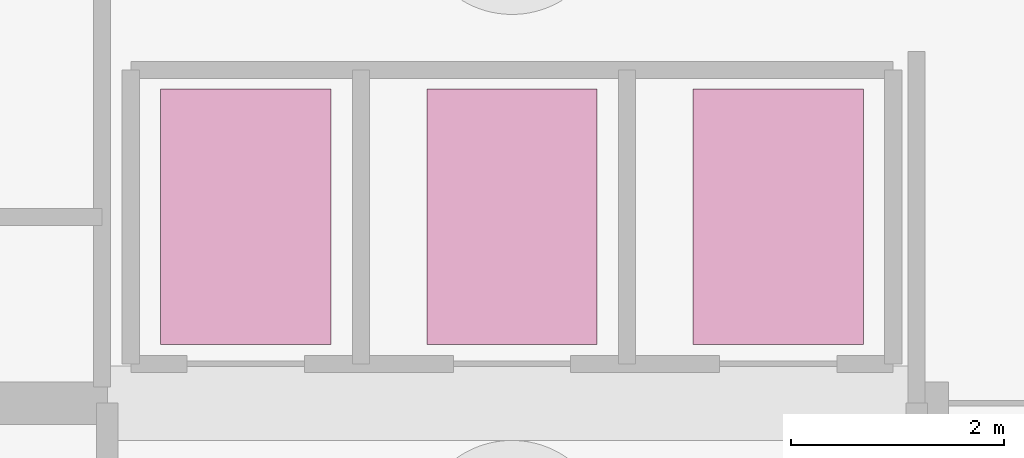
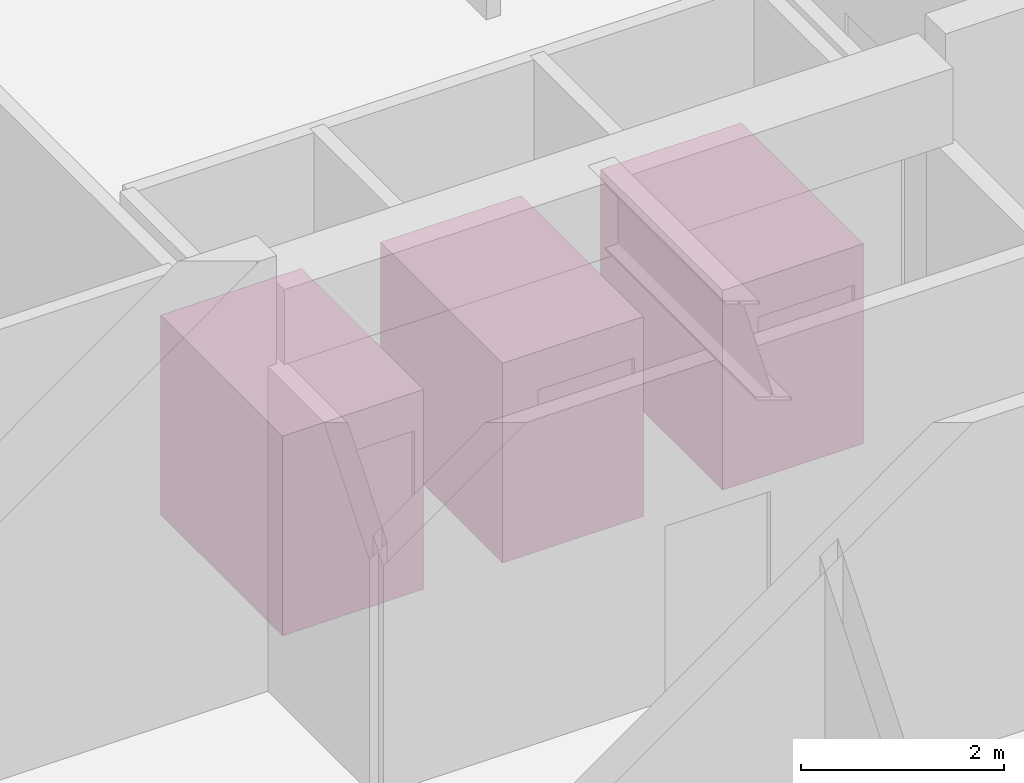
# One storey, part 18 of 18: 3 transport elements.
"""IFC4 building model written with IfcOpenShell, lengths in metres."""

import ifcopenshell
import ifcopenshell.guid

model = None  # the IFC model being written
_history = None  # IfcOwnerHistory: only IFC2X3 demands one
_inside = {}  # id of a spatial element -> (the spatial element, [elements in it])
_under = {}  # id of a project, library or spatial element -> (it, [spatial elements below it])
_declared = {}  # id of a project -> (the project, [libraries it declares])
_typed = {}  # id of a type object -> (the type object, [elements of that type])
_made_of = {}  # id of a material, layer set ... -> (it, [elements and type objects made of it])


def new_model(schema):
    """Start an empty IFC model of exactly this schema.

    Asked for "IFC4X3", IfcOpenShell would pick the latest addendum, in which some entities
    have other attributes; the version numbers below select the first issue.
    IFC2X3 requires an IfcOwnerHistory on every rooted entity: one is made here for all.
    """
    global model, _history
    if schema == "IFC4X3":
        model = ifcopenshell.file(schema_version=(4, 3, 0, 0))
    else:
        model = ifcopenshell.file(schema=schema)
    _inside.clear()
    _under.clear()
    _declared.clear()
    _typed.clear()
    _made_of.clear()
    _history = None
    if model.schema == "IFC2X3":
        org = make("IfcOrganization", Name="unknown")
        user = make(
            "IfcPersonAndOrganization",
            ThePerson=make("IfcPerson", FamilyName="unknown"),
            TheOrganization=org,
        )
        app = make(
            "IfcApplication",
            ApplicationDeveloper=org,
            Version="unknown",
            ApplicationFullName="unknown",
            ApplicationIdentifier="unknown",
        )
        _history = make(
            "IfcOwnerHistory",
            OwningUser=user,
            OwningApplication=app,
            ChangeAction="ADDED",
            CreationDate=0,
        )
    return model


def make(cls, **values):
    """One entity of the class cls with the attributes given. An attribute that is None is left unset."""
    return model.create_entity(
        cls, **{name: value for name, value in values.items() if value is not None}
    )


def rooted(cls, **values):
    """An entity with a GlobalId (a new one), such as an element, a storey or a relation."""
    return make(cls, GlobalId=ifcopenshell.guid.new(), OwnerHistory=_history, **values)


def si_unit(unit_type, name, prefix=None):
    """IfcSIUnit, for example si_unit("LENGTHUNIT", "METRE", prefix="MILLI")."""
    return make("IfcSIUnit", UnitType=unit_type, Prefix=prefix, Name=name)


def assignment(units):
    """IfcUnitAssignment: the units of a project."""
    return None if units is None else make("IfcUnitAssignment", Units=units)


def point(xyz):
    """IfcCartesianPoint."""
    return None if xyz is None else make("IfcCartesianPoint", Coordinates=xyz)


def direction(xyz):
    """IfcDirection."""
    return None if xyz is None else make("IfcDirection", DirectionRatios=xyz)


def frame(location, z_axis=None, x_axis=None):
    """IfcAxis2Placement3D, a coordinate frame: its origin and axes. An axis left out is left unset."""
    return make(
        "IfcAxis2Placement3D",
        Location=point(location),
        Axis=direction(z_axis),
        RefDirection=direction(x_axis),
    )


def frame_2d(location, x_axis=None):
    """IfcAxis2Placement2D, a coordinate frame in the plane: its origin and x axis."""
    return make(
        "IfcAxis2Placement2D", Location=point(location), RefDirection=direction(x_axis)
    )


def origin():
    """The frame at (0, 0, 0) with its axes left unset."""
    return frame((0.0, 0.0, 0.0))


def origin_2d():
    """The frame at (0, 0) in the plane with its x axis left unset."""
    return frame_2d((0.0, 0.0))


def place(relative_to, where):
    """IfcLocalPlacement: puts the frame where relative to a parent placement (None: the world)."""
    return make(
        "IfcLocalPlacement", PlacementRelTo=relative_to, RelativePlacement=where
    )


def context(
    kind, dimensions, precision=None, world=None, true_north=None, identifier=None
):
    """IfcGeometricRepresentationContext, for example the 3D "Model" context."""
    return make(
        "IfcGeometricRepresentationContext",
        ContextIdentifier=identifier,
        ContextType=kind,
        CoordinateSpaceDimension=dimensions,
        Precision=precision,
        WorldCoordinateSystem=world,
        TrueNorth=true_north,
    )


def subcontext(parent, identifier, kind, view, scale=None):
    """IfcGeometricRepresentationSubContext, for example "Body" below "Model"."""
    return make(
        "IfcGeometricRepresentationSubContext",
        ContextIdentifier=identifier,
        ContextType=kind,
        ParentContext=parent,
        TargetScale=scale,
        TargetView=view,
    )


def project(units=None, contexts=None):
    """IfcProject with its units and contexts."""
    return rooted(
        "IfcProject",
        Name="project",
        RepresentationContexts=contexts,
        UnitsInContext=assignment(units),
    )


def spatial(cls, under=None, at=None, **own):
    """A site, building, storey or space (cls), placed at a placement, below another one or the project."""
    s = rooted(cls, ObjectPlacement=at, **own)
    if under is not None:
        _under.setdefault(under.id(), (under, []))[1].append(s)
    return s


def profile(cls, at=None, kind="AREA", **sizes):
    """A parametric profile (cls). Its sizes go by their IFC names, for example OverallWidth=200.0."""
    return make(cls, ProfileType=kind, Position=at, **sizes)


def rectangle(**sizes):
    """IfcRectangleProfileDef."""
    return profile("IfcRectangleProfileDef", **sizes)


def extrude(swept, where, along, depth):
    """IfcExtrudedAreaSolid: the profile swept, set in the frame where, extruded along a direction by depth."""
    return make(
        "IfcExtrudedAreaSolid",
        SweptArea=swept,
        Position=where,
        ExtrudedDirection=direction(along),
        Depth=depth,
    )


def shape(context_of_items, identifier, shape_type, items):
    """IfcShapeRepresentation: the items that make up one representation, for example the "Body"."""
    return make(
        "IfcShapeRepresentation",
        ContextOfItems=context_of_items,
        RepresentationIdentifier=identifier,
        RepresentationType=shape_type,
        Items=items,
    )


def material(Name=None, Category=None):
    """IfcMaterial."""
    return make("IfcMaterial", Name=Name, Category=Category)


def made_of(thing, what):
    """Note that an element or type object is made of a material, layer set ...; save() writes the relation."""
    if what is not None:
        _made_of.setdefault(what.id(), (what, []))[1].append(thing)
    return thing


def type_object(cls, material=None, **own):
    """A type object (cls), such as IfcWallType, which elements share."""
    return made_of(rooted(cls, **own), material)


def element(
    cls,
    number,
    at=None,
    inside=None,
    cuts=None,
    type_object=None,
    material=None,
    context=None,
    identifier="Body",
    shape_type=None,
    held_by="IfcProductDefinitionShape",
    body=None,
    shapes=None,
    **own,
):
    """One element of the class cls, such as IfcWall. Its Tag is "e" and its number.

    at: its placement. inside: the storey or other place that contains it. cuts: it is an
    opening in that element (IfcRelVoidsElement). A single representation is given by context,
    identifier, shape_type and body (its items); several are given by shapes. held_by: the class
    of the entity that holds the representations. save() writes the other relations.
    """
    e = rooted(cls, Tag="e%d" % number, ObjectPlacement=at, **own)
    if body is not None:
        shapes = [shape(context, identifier, shape_type, body)]
    if shapes is not None:
        e.Representation = make(held_by, Representations=shapes)
    if inside is not None:
        _inside.setdefault(inside.id(), (inside, []))[1].append(e)
    if cuts is not None:
        rooted(
            "IfcRelVoidsElement", RelatingBuildingElement=cuts, RelatedOpeningElement=e
        )
    if type_object is not None:
        _typed.setdefault(type_object.id(), (type_object, []))[1].append(e)
    return made_of(e, material)


def aggregate(whole, parts):
    """IfcRelAggregates: a whole, such as a stair, and the parts it consists of."""
    return rooted("IfcRelAggregates", RelatingObject=whole, RelatedObjects=parts)


def save(model, path):
    """Write the relations noted so far, then the file.

    IfcRelAggregates (storeys below a building ...), IfcRelContainedInSpatialStructure (elements
    in a storey), IfcRelDefinesByType, IfcRelAssociatesMaterial and IfcRelDeclares: one each for
    every whole, place, type object, material and project.
    """
    for whole, parts in _under.values():
        aggregate(whole, parts)
    for where, things in _inside.values():
        rooted(
            "IfcRelContainedInSpatialStructure",
            RelatedElements=things,
            RelatingStructure=where,
        )
    for kind, things in _typed.values():
        rooted("IfcRelDefinesByType", RelatedObjects=things, RelatingType=kind)
    for what, things in _made_of.values():
        rooted("IfcRelAssociatesMaterial", RelatedObjects=things, RelatingMaterial=what)
    for by, libraries in _declared.values():
        rooted("IfcRelDeclares", RelatingContext=by, RelatedDefinitions=libraries)
    model.write(path)


model = new_model("IFC4")

# Units and contexts
model_context = context("Model", 3, precision=1e-05, world=origin(), true_north=direction((0.0, 1.0)))
body_context = subcontext(model_context, "Body", "Model", "MODEL_VIEW")
ifc_project = project(units=[si_unit("LENGTHUNIT", "METRE"), si_unit("AREAUNIT", "SQUARE_METRE"), si_unit("VOLUMEUNIT", "CUBIC_METRE"), si_unit("PLANEANGLEUNIT", "RADIAN"), si_unit("MASSUNIT", "GRAM", prefix="KILO")], contexts=[model_context])

# Site, building, storey
site_placement = place(None, origin())
site = spatial("IfcSite", under=ifc_project, at=site_placement, CompositionType="ELEMENT")
building_placement = place(site_placement, origin())
building = spatial("IfcBuilding", under=site, at=building_placement, Name="Veldorina Hangang Commons", CompositionType="ELEMENT")
storey_placement = place(building_placement, frame((0.0, 0.0, -10.39990234375)))
storey = spatial("IfcBuildingStorey", under=building, at=storey_placement, Name="B02", CompositionType="ELEMENT", Elevation=-10.39990234375)

# Transport elements
ifc_material = material(Name="Stainless Steel Brushed Cab", Category="steel")
transport_element_type_1 = type_object("IfcTransportElementType", Name="LFT-EVAC-1800", PredefinedType="ELEVATOR", material=ifc_material)
transport_element_placement = place(storey_placement, frame((34.5, 18.300048828125, 0.0), z_axis=(0.0, 0.0, 1.0), x_axis=(1.0, 0.0, 0.0)))
element("IfcTransportElement", 1, at=transport_element_placement, inside=storey, type_object=transport_element_type_1, Name="Elevator EVL-1 (evac bank)", PredefinedType="ELEVATOR", context=body_context, shape_type="SweptSolid", body=[
    extrude(rectangle(XDim=1.60009765625, YDim=2.39990234375, at=origin_2d()), origin(), (0.0, 0.0, 1.0), 2.39990234375),
])
transport_element_type_2 = type_object("IfcTransportElementType", Name="LFT-FF-1800", PredefinedType="ELEVATOR", material=ifc_material)
for number, where, z_axis, x_axis, name in (
    (2, (29.5, 18.300048828125, 0.0), (0.0, 0.0, 1.0), (1.0, 0.0, 0.0), "Elevator FFL-1 (fire bank)"),
    (3, (32.0, 18.300048828125, 0.0), (0.0, 0.0, 1.0), (1.0, 0.0, 0.0), "Elevator FFL-2 (fire bank)"),
):
    element("IfcTransportElement", number, at=place(storey_placement, frame(where, z_axis=z_axis, x_axis=x_axis)), inside=storey, type_object=transport_element_type_2, Name=name, PredefinedType="ELEVATOR", context=body_context, shape_type="SweptSolid", body=[
        extrude(rectangle(XDim=1.60009765625, YDim=2.39990234375, at=origin_2d()), origin(), (0.0, 0.0, 1.0), 2.39990234375),
    ])

save(model, "model.ifc")
